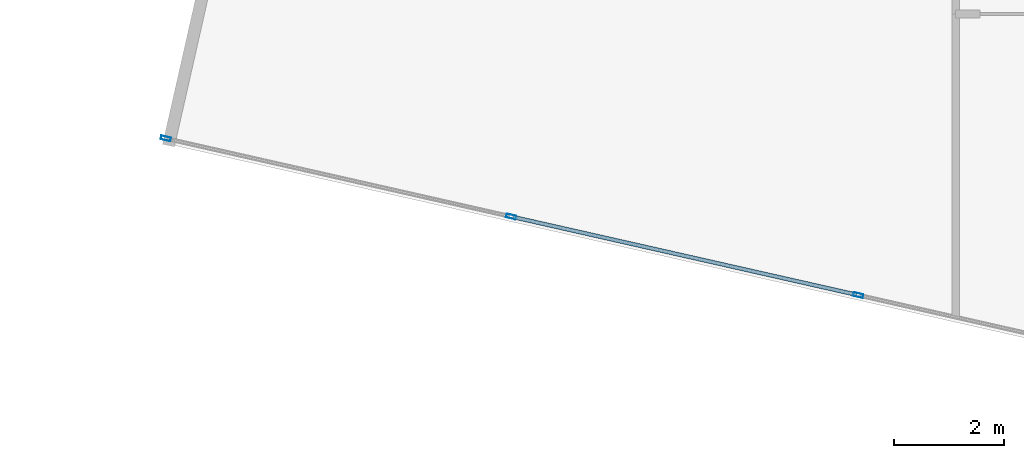
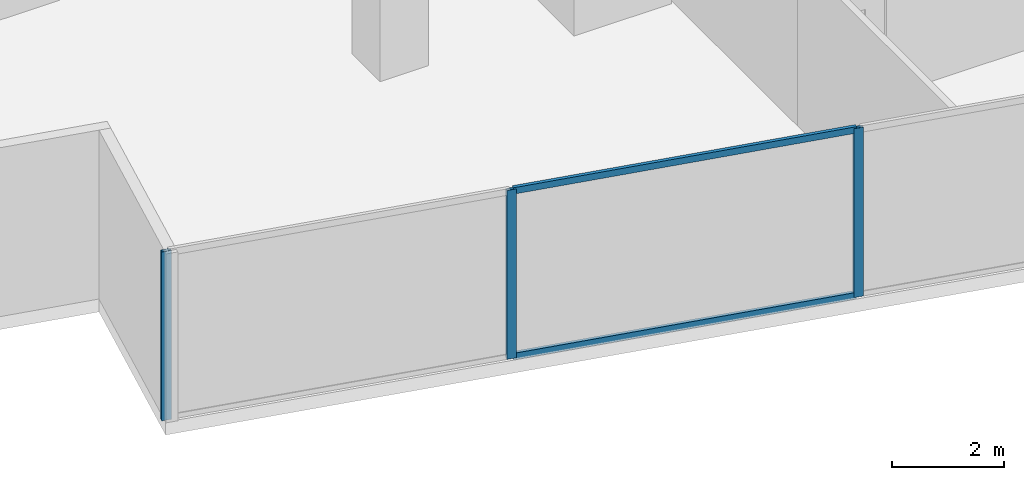
# One storey, part 2 of 26: 5 members, 1 element without a shape of its own.
"""IFC4 building model written with IfcOpenShell, lengths in metres."""

from ifc_helpers import new_model, si_unit, direction, frame, origin, origin_2d, place, context, subcontext, project, spatial, hollow_rectangle, extrude, source, transform, mapped, material, material_profile, profile_set, type_object, type_shapes, element, aggregate, save


model = new_model("IFC4")

# Units and contexts
model_context = context("Model", 3, precision=1e-05, world=origin(), true_north=direction((0.0, 1.0)))
body_context = subcontext(model_context, "Body", "Model", "MODEL_VIEW")
ifc_project = project(units=[si_unit("LENGTHUNIT", "METRE"), si_unit("AREAUNIT", "SQUARE_METRE"), si_unit("VOLUMEUNIT", "CUBIC_METRE"), si_unit("PLANEANGLEUNIT", "RADIAN"), si_unit("MASSUNIT", "GRAM", prefix="KILO")], contexts=[model_context])

# Site, building, storey
site_placement = place(None, origin())
site = spatial("IfcSite", under=ifc_project, at=site_placement, CompositionType="ELEMENT")
building_placement = place(site_placement, origin())
building = spatial("IfcBuilding", under=site, at=building_placement, Name="Krantzveldt Concourse Tower", CompositionType="ELEMENT")
storey_placement = place(building_placement, frame((0.0, 0.0, 90.050048828125)))
storey = spatial("IfcBuildingStorey", under=building, at=storey_placement, Name="L21", CompositionType="ELEMENT", Elevation=90.050048828125)

# Curtain wall, members
ifc_material = material(Name="Anodised aluminium 6063-T6", Category="aluminium")
curtain_wall_type = type_object("IfcCurtainWallType", Name="CW2", PredefinedType="USERDEFINED", material=ifc_material)
curtain_wall_placement = place(storey_placement, origin())
curtain_wall = element("IfcCurtainWall", 1, at=curtain_wall_placement, inside=storey, type_object=curtain_wall_type, Name="CW-L21-F04", ObjectType="UNITISED CURTAIN WALL", PredefinedType="USERDEFINED")
ifc_material_profile_1 = material_profile(ifc_material, hollow_rectangle(XDim=0.070068359375, YDim=0.179931640625, WallThickness=0.0048828125, at=origin_2d()), Name="Anodised aluminium 6063-T6", Category="aluminium")
ifc_profile_set_1 = profile_set([ifc_material_profile_1], Name="Anodised aluminium 6063-T6 - ALU-MULL 180x70x5")
member_type_1 = type_object("IfcMemberType", Name="CW-MUL-180", PredefinedType="MULLION", material=ifc_profile_set_1)
shared_shape_1 = source(origin(), body_context, "Body", "SweptSolid", [
    extrude(hollow_rectangle(XDim=0.070068359375, YDim=0.179931640625, WallThickness=0.0048828125, at=origin_2d()), origin(), (0.0, 0.0, 1.0), 3.669921875),
])
type_shapes(member_type_1, [shared_shape_1])
member_1_placement = place(storey_placement, frame((11.968017578125, 8.238525390625, 0.0), z_axis=(0.0, 0.0, 1.0), x_axis=(0.220697434579, 0.975342320609, 0.0)))
member_1 = element("IfcMember", 2, at=member_1_placement, type_object=member_type_1, Name="CW-Z12 mullion 1", PredefinedType="MULLION", context=body_context, shape_type="MappedRepresentation", body=[
    mapped(shared_shape_1, transform((0.0, 0.0, 0.0), x_axis=(1.0, 0.0, 0.0), y_axis=(0.0, 1.0, 0.0), z_axis=(0.0, 0.0, 1.0), scale=1.0)),
])
member_2_placement = place(storey_placement, frame((18.2412109375, 6.819091796875, 0.0), z_axis=(0.0, 0.0, 1.0), x_axis=(0.220697434579, 0.975342320609, 0.0)))
member_2 = element("IfcMember", 3, at=member_2_placement, type_object=member_type_1, Name="CW-Z12 mullion 2", PredefinedType="MULLION", context=body_context, shape_type="MappedRepresentation", body=[
    mapped(shared_shape_1, transform((0.0, 0.0, 0.0), x_axis=(1.0, 0.0, 0.0), y_axis=(0.0, 1.0, 0.0), z_axis=(0.0, 0.0, 1.0), scale=1.0)),
])
member_3_placement = place(storey_placement, frame((24.54833984375, 5.391845703125, 0.0), z_axis=(0.0, 0.0, 1.0), x_axis=(0.220697434579, 0.975342320609, 0.0)))
member_3 = element("IfcMember", 4, at=member_3_placement, type_object=member_type_1, Name="CW-Z12 mullion 3", PredefinedType="MULLION", context=body_context, shape_type="MappedRepresentation", body=[
    mapped(shared_shape_1, transform((0.0, 0.0, 0.0), x_axis=(1.0, 0.0, 0.0), y_axis=(0.0, 1.0, 0.0), z_axis=(0.0, 0.0, 1.0), scale=1.0)),
])
ifc_material_profile_2 = material_profile(ifc_material, hollow_rectangle(XDim=0.070068359375, YDim=0.139892578125, WallThickness=0.0048828125, at=origin_2d()), Name="Anodised aluminium 6063-T6", Category="aluminium")
ifc_profile_set_2 = profile_set([ifc_material_profile_2], Name="Anodised aluminium 6063-T6 - ALU-TRAN 140x70x5")
member_type_2 = type_object("IfcMemberType", Name="CW-TRN-150", PredefinedType="USERDEFINED", material=ifc_profile_set_2)
shared_shape_2 = source(origin(), body_context, "Body", "SweptSolid", [
    extrude(hollow_rectangle(XDim=0.070068359375, YDim=0.139892578125, WallThickness=0.0048828125, at=origin_2d()), origin(), (0.0, 0.0, 1.0), 6.396728515625),
])
type_shapes(member_type_2, [shared_shape_2])
member_4_placement = place(storey_placement, frame((18.275146484375, 6.811279296875, 0.034912109375), z_axis=(0.975346478519, -0.220679058454, 0.0), x_axis=(0.220679058454, 0.975346478519, 0.0)))
member_4 = element("IfcMember", 5, at=member_4_placement, type_object=member_type_2, Name="CW-Z12 transom 2.1", ObjectType="TRANSOM", PredefinedType="USERDEFINED", context=body_context, shape_type="MappedRepresentation", body=[
    mapped(shared_shape_2, transform((0.0, 0.0, 0.0), x_axis=(1.0, 0.0, 0.0), y_axis=(0.0, 1.0, 0.0), z_axis=(0.0, 0.0, 1.0), scale=1.0)),
])
member_5_placement = place(storey_placement, frame((18.275146484375, 6.811279296875, 3.635009765625), z_axis=(0.975346478519, -0.220679058454, 0.0), x_axis=(0.220679058454, 0.975346478519, 0.0)))
member_5 = element("IfcMember", 6, at=member_5_placement, type_object=member_type_2, Name="CW-Z12 transom 2.2", ObjectType="TRANSOM", PredefinedType="USERDEFINED", context=body_context, shape_type="MappedRepresentation", body=[
    mapped(shared_shape_2, transform((0.0, 0.0, 0.0), x_axis=(1.0, 0.0, 0.0), y_axis=(0.0, 1.0, 0.0), z_axis=(0.0, 0.0, 1.0), scale=1.0)),
])
aggregate(curtain_wall, [member_1, member_2, member_3, member_4, member_5])

save(model, "model.ifc")
